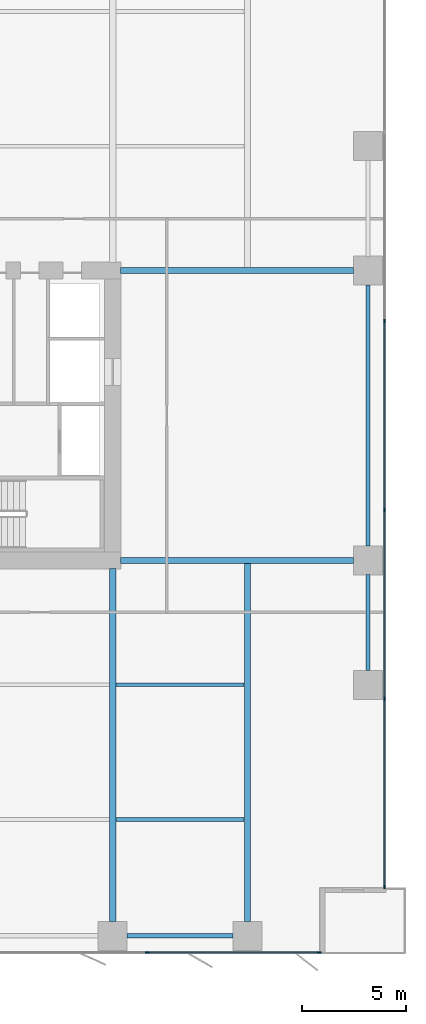
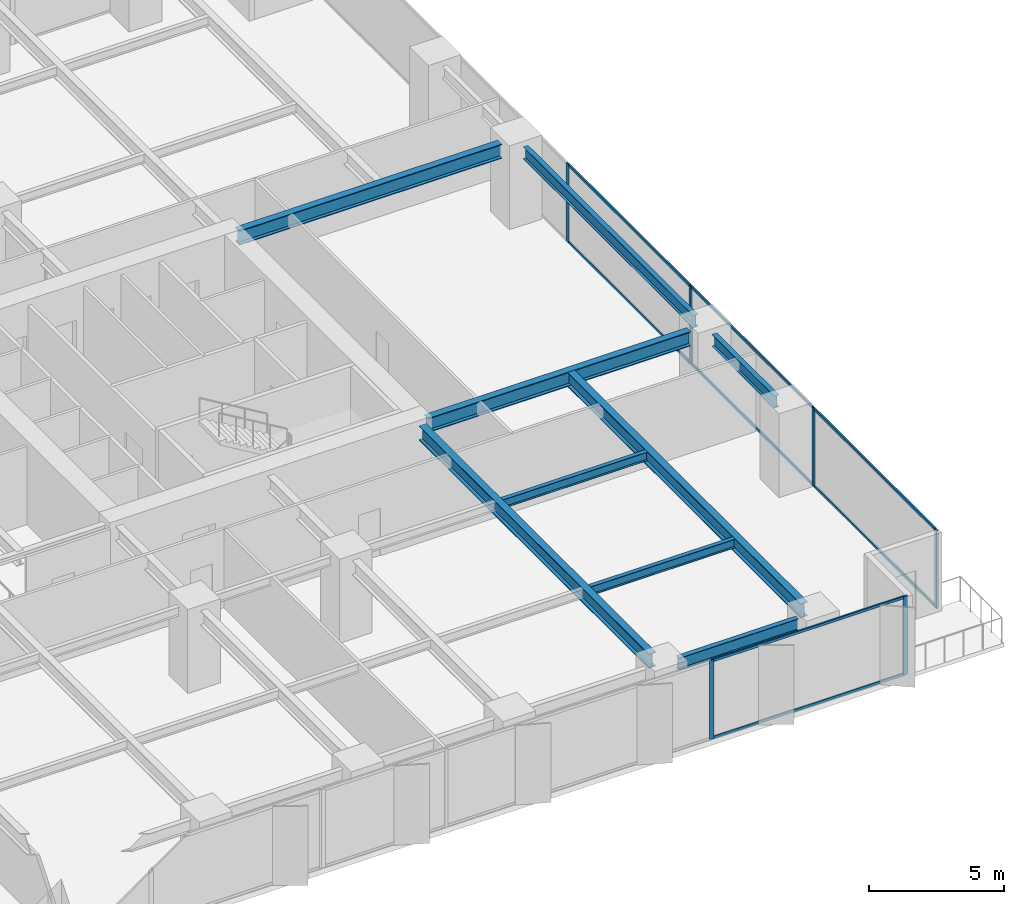
# One storey, part 10 of 20: 14 members, 9 beams, 2 elements without a shape of their own.
"""IFC4 building model written with IfcOpenShell, lengths in metres."""

from ifc_helpers import new_model, si_unit, direction, frame, origin, origin_2d, place, context, subcontext, project, spatial, rectangle, i_section, extrude, material, layer, layer_set, material_profile, profile_set, type_object, element, aggregate, save


model = new_model("IFC4")

# Units and contexts
model_context = context("Model", 3, precision=1e-05, world=origin(), true_north=direction((0.0, 1.0)))
body_context = subcontext(model_context, "Body", "Model", "MODEL_VIEW")
ifc_project = project(units=[si_unit("LENGTHUNIT", "METRE"), si_unit("AREAUNIT", "SQUARE_METRE"), si_unit("VOLUMEUNIT", "CUBIC_METRE"), si_unit("PLANEANGLEUNIT", "RADIAN"), si_unit("MASSUNIT", "GRAM", prefix="KILO")], contexts=[model_context])

# Site, building, storey
site_placement = place(None, origin())
site = spatial("IfcSite", under=ifc_project, at=site_placement, CompositionType="ELEMENT")
building_placement = place(site_placement, origin())
building = spatial("IfcBuilding", under=site, at=building_placement, Name="Putna Gate Headquarters", CompositionType="ELEMENT")
storey_placement = place(building_placement, frame((0.0, 0.0, 43.0)))
storey = spatial("IfcBuildingStorey", under=building, at=storey_placement, Name="L09", CompositionType="ELEMENT", Elevation=43.0)

# Beams
ifc_material_1 = material(Name="Steel S355J2", Category="steel")
ifc_material_profile_1 = material_profile(ifc_material_1, i_section(OverallWidth=0.300048828125, OverallDepth=0.64990234375, WebThickness=0.01611328125, FlangeThickness=0.031005859375, at=origin_2d()), Name="Steel S355J2")
ifc_profile_set_1 = profile_set([ifc_material_profile_1], Name="Steel S355J2")
beam_type_1 = type_object("IfcBeamType", Name="BM-GIRD-Z1-HEB650", PredefinedType="USERDEFINED", material=ifc_profile_set_1)
for number, where, z_axis, x_axis, name in (
    (1, (65.385009765625, 19.0, 3.22509765625), (1.0, 0.0, 0.0), (0.0, 1.0, 0.0), "L09 East Wing Girder Y19"),
    (2, (65.385009765625, 33.0, 3.22509765625), (1.0, 0.0, 0.0), (0.0, 1.0, 0.0), "L09 East Wing Girder Y33"),
):
    element("IfcBeam", number, at=place(storey_placement, frame(where, z_axis=z_axis, x_axis=x_axis)), inside=storey, type_object=beam_type_1, Name=name, ObjectType="GIRDER", PredefinedType="USERDEFINED", context=body_context, shape_type="SweptSolid", body=[
        extrude(i_section(OverallWidth=0.300048828125, OverallDepth=0.64990234375, WebThickness=0.01611328125, FlangeThickness=0.031005859375, at=origin_2d()), origin(), (0.0, 0.0, 1.0), 11.2470703125),
    ])
beam_1_placement = place(storey_placement, frame((65.0, 1.568115234375, 3.22509765625), z_axis=(0.0, 1.0, 0.0), x_axis=(-1.0, 0.0, 0.0)))
element("IfcBeam", 3, at=beam_1_placement, inside=storey, type_object=beam_type_1, Name="L09 South Primary Girder X65", ObjectType="GIRDER", PredefinedType="USERDEFINED", context=body_context, shape_type="SweptSolid", body=[
    extrude(i_section(OverallWidth=0.300048828125, OverallDepth=0.64990234375, WebThickness=0.01611328125, FlangeThickness=0.031005859375, at=origin_2d()), origin(), (0.0, 0.0, 1.0), 17.046875),
])
beam_2_placement = place(storey_placement, frame((71.5, 1.568115234375, 3.22509765625), z_axis=(0.0, 1.0, 0.0), x_axis=(-1.0, 0.0, 0.0)))
element("IfcBeam", 4, at=beam_2_placement, inside=storey, type_object=beam_type_1, Name="L09 South Primary Girder X71", ObjectType="GIRDER", PredefinedType="USERDEFINED", context=body_context, shape_type="SweptSolid", body=[
    extrude(i_section(OverallWidth=0.300048828125, OverallDepth=0.64990234375, WebThickness=0.01611328125, FlangeThickness=0.031005859375, at=origin_2d()), origin(), (0.0, 0.0, 1.0), 17.419921875),
])
ifc_material_profile_2 = material_profile(ifc_material_1, i_section(OverallWidth=0.179931640625, OverallDepth=0.39990234375, WebThickness=0.008544921875, FlangeThickness=0.013427734375, at=origin_2d()), Name="Steel S355J2")
ifc_profile_set_2 = profile_set([ifc_material_profile_2], Name="Steel S355J2")
beam_type_2 = type_object("IfcBeamType", Name="BM-SEC-Z1-IPE400", PredefinedType="BEAM", material=ifc_profile_set_2)
for number, where, z_axis, x_axis, name in (
    (5, (65.154052734375, 6.5, 3.35009765625), (1.0, 0.0, 0.0), (0.0, 1.0, 0.0), "L09 South Secondary Beam 10"),
    (6, (65.154052734375, 13.0, 3.35009765625), (1.0, 0.0, 0.0), (0.0, 1.0, 0.0), "L09 South Secondary Beam 10"),
):
    element("IfcBeam", number, at=place(storey_placement, frame(where, z_axis=z_axis, x_axis=x_axis)), inside=storey, type_object=beam_type_2, Name=name, PredefinedType="BEAM", context=body_context, shape_type="SweptSolid", body=[
        extrude(i_section(OverallWidth=0.179931640625, OverallDepth=0.39990234375, WebThickness=0.008544921875, FlangeThickness=0.013427734375, at=origin_2d()), origin(), (0.0, 0.0, 1.0), 6.19189453125),
    ])
ifc_material_profile_3 = material_profile(ifc_material_1, i_section(OverallWidth=0.2099609375, OverallDepth=0.550048828125, WebThickness=0.010986328125, FlangeThickness=0.01708984375, at=origin_2d()), Name="Steel S355J2")
ifc_profile_set_3 = profile_set([ifc_material_profile_3], Name="Steel S355J2")
beam_type_3 = type_object("IfcBeamType", Name="BM-SPAN-Z1-IPE550", PredefinedType="SPANDREL", material=ifc_profile_set_3)
beam_3_placement = place(storey_placement, frame((65.68798828125, 0.8798828125, 3.27490234375), z_axis=(1.0, 0.0, 0.0), x_axis=(0.0, 1.0, 0.0)))
element("IfcBeam", 7, at=beam_3_placement, inside=storey, type_object=beam_type_3, Name="L09 S Perimeter Spandrel 10", PredefinedType="SPANDREL", context=body_context, shape_type="SweptSolid", body=[
    extrude(i_section(OverallWidth=0.2099609375, OverallDepth=0.550048828125, WebThickness=0.010986328125, FlangeThickness=0.01708984375, at=origin_2d()), origin(), (0.0, 0.0, 1.0), 5.1240234375),
])
beam_4_placement = place(storey_placement, frame((77.320068359375, 13.68798828125, 3.27490234375), z_axis=(0.0, 1.0, 0.0), x_axis=(-1.0, 0.0, 0.0)))
element("IfcBeam", 8, at=beam_4_placement, inside=storey, type_object=beam_type_3, Name="L09 E End Spandrel 1", PredefinedType="SPANDREL", context=body_context, shape_type="SweptSolid", body=[
    extrude(i_section(OverallWidth=0.2099609375, OverallDepth=0.550048828125, WebThickness=0.010986328125, FlangeThickness=0.01708984375, at=origin_2d()), origin(), (0.0, 0.0, 1.0), 4.6240234375),
])
beam_5_placement = place(storey_placement, frame((77.320068359375, 19.68798828125, 3.27490234375), z_axis=(0.0, 1.0, 0.0), x_axis=(-1.0, 0.0, 0.0)))
element("IfcBeam", 9, at=beam_5_placement, inside=storey, type_object=beam_type_3, Name="L09 E End Spandrel 2", PredefinedType="SPANDREL", context=body_context, shape_type="SweptSolid", body=[
    extrude(i_section(OverallWidth=0.2099609375, OverallDepth=0.550048828125, WebThickness=0.010986328125, FlangeThickness=0.01708984375, at=origin_2d()), origin(), (0.0, 0.0, 1.0), 12.6240234375),
])

# Curtain wall, members
ifc_material_2 = material(Name="Anodised bronze aluminium curtain wall", Category="aluminium")
ifc_layer = layer(ifc_material_2, 0.179931640625)
ifc_layer_set = layer_set([ifc_layer], Name="Anodised bronze aluminium curtain wall")
curtain_wall_type = type_object("IfcCurtainWallType", Name="CW-SYS-Z1", PredefinedType="USERDEFINED", material=ifc_layer_set)
curtain_wall_1_placement = place(storey_placement, origin())
curtain_wall_1 = element("IfcCurtainWall", 10, at=curtain_wall_1_placement, inside=storey, type_object=curtain_wall_type, Name="L09 South East Curtain Wall", ObjectType="STICK CURTAIN WALL", PredefinedType="USERDEFINED")
ifc_material_3 = material(Name="Anodised bronze aluminium EN AW-6060", Category="aluminium")
ifc_material_profile_4 = material_profile(ifc_material_3, rectangle(XDim=0.070068359375, YDim=0.179931640625, at=origin_2d()), Name="Anodised bronze aluminium EN AW-6060")
ifc_profile_set_4 = profile_set([ifc_material_profile_4], Name="Anodised bronze aluminium EN AW-6060")
member_type_1 = type_object("IfcMemberType", Name="MULL-CWM-1", PredefinedType="MULLION", material=ifc_profile_set_4)
member_1_placement = place(storey_placement, frame((66.666748046875, 0.080078125, 0.0), z_axis=(0.0, 0.0, 1.0), x_axis=(0.0, 1.0, 0.0)))
member_1 = element("IfcMember", 11, at=member_1_placement, type_object=member_type_1, Name="CWS-1 mullion 3", PredefinedType="MULLION", context=body_context, shape_type="SweptSolid", body=[
    extrude(rectangle(XDim=0.070068359375, YDim=0.179931640625, at=origin_2d()), origin(), (0.0, 0.0, 1.0), 3.550048828125),
])
member_2_placement = place(storey_placement, frame((74.965087890625, 0.080078125, 0.0), z_axis=(0.0, 0.0, 1.0), x_axis=(0.0, 1.0, 0.0)))
member_2 = element("IfcMember", 12, at=member_2_placement, type_object=member_type_1, Name="CWS-1 mullion 4", PredefinedType="MULLION", context=body_context, shape_type="SweptSolid", body=[
    extrude(rectangle(XDim=0.070068359375, YDim=0.179931640625, at=origin_2d()), origin(), (0.0, 0.0, 1.0), 3.550048828125),
])

curtain_wall_2_placement = place(storey_placement, origin())
curtain_wall_2 = element("IfcCurtainWall", 13, at=curtain_wall_2_placement, inside=storey, type_object=curtain_wall_type, Name="L09 East Curtain Wall", ObjectType="STICK CURTAIN WALL", PredefinedType="USERDEFINED")
member_3_placement = place(storey_placement, frame((78.1201171875, 3.235107421875, 0.0), z_axis=(0.0, 0.0, 1.0), x_axis=(-1.0, 0.0, 0.0)))
member_3 = element("IfcMember", 14, at=member_3_placement, type_object=member_type_1, Name="CWS-1 mullion 1", PredefinedType="MULLION", context=body_context, shape_type="SweptSolid", body=[
    extrude(rectangle(XDim=0.070068359375, YDim=0.179931640625, at=origin_2d()), origin(), (0.0, 0.0, 1.0), 3.550048828125),
])
member_4_placement = place(storey_placement, frame((78.1201171875, 12.320068359375, 0.0), z_axis=(0.0, 0.0, 1.0), x_axis=(-1.0, 0.0, 0.0)))
member_4 = element("IfcMember", 15, at=member_4_placement, type_object=member_type_1, Name="CWS-1 mullion 2", PredefinedType="MULLION", context=body_context, shape_type="SweptSolid", body=[
    extrude(rectangle(XDim=0.070068359375, YDim=0.179931640625, at=origin_2d()), origin(), (0.0, 0.0, 1.0), 3.550048828125),
])
member_5_placement = place(storey_placement, frame((78.1201171875, 21.43994140625, 0.0), z_axis=(0.0, 0.0, 1.0), x_axis=(-1.0, 0.0, 0.0)))
member_5 = element("IfcMember", 16, at=member_5_placement, type_object=member_type_1, Name="CWS-1 mullion 3", PredefinedType="MULLION", context=body_context, shape_type="SweptSolid", body=[
    extrude(rectangle(XDim=0.070068359375, YDim=0.179931640625, at=origin_2d()), origin(), (0.0, 0.0, 1.0), 3.550048828125),
])
member_6_placement = place(storey_placement, frame((78.1201171875, 30.56005859375, 0.0), z_axis=(0.0, 0.0, 1.0), x_axis=(-1.0, 0.0, 0.0)))
member_6 = element("IfcMember", 17, at=member_6_placement, type_object=member_type_1, Name="CWS-1 mullion 4", PredefinedType="MULLION", context=body_context, shape_type="SweptSolid", body=[
    extrude(rectangle(XDim=0.070068359375, YDim=0.179931640625, at=origin_2d()), origin(), (0.0, 0.0, 1.0), 3.550048828125),
])

# Member
ifc_material_profile_5 = material_profile(ifc_material_3, rectangle(XDim=0.06494140625, YDim=0.1201171875, at=origin_2d()), Name="Anodised bronze aluminium EN AW-6060")
ifc_profile_set_5 = profile_set([ifc_material_profile_5], Name="Anodised bronze aluminium EN AW-6060")
member_type_2 = type_object("IfcMemberType", Name="TRAN-CWT-1", PredefinedType="USERDEFINED", material=ifc_profile_set_5)
member_7_placement = place(storey_placement, frame((66.70166015625, 0.080078125, 0.032470703125), z_axis=(1.0, 0.0, 0.0), x_axis=(0.0, 1.0, 0.0)))
member_7 = element("IfcMember", 18, at=member_7_placement, type_object=member_type_2, Name="CWS-1 transom 3.1", ObjectType="TRANSOM", PredefinedType="USERDEFINED", context=body_context, shape_type="SweptSolid", body=[
    extrude(rectangle(XDim=0.06494140625, YDim=0.1201171875, at=origin_2d()), origin(), (0.0, 0.0, 1.0), 8.228271484375),
])

member_8_placement = place(storey_placement, frame((66.70166015625, 0.080078125, 3.517578125), z_axis=(1.0, 0.0, 0.0), x_axis=(0.0, 1.0, 0.0)))
member_8 = element("IfcMember", 19, at=member_8_placement, type_object=member_type_2, Name="CWS-1 transom 3.2", ObjectType="TRANSOM", PredefinedType="USERDEFINED", context=body_context, shape_type="SweptSolid", body=[
    extrude(rectangle(XDim=0.06494140625, YDim=0.1201171875, at=origin_2d()), origin(), (0.0, 0.0, 1.0), 8.228271484375),
])

aggregate(curtain_wall_1, [member_1, member_2, member_7, member_8])

member_9_placement = place(storey_placement, frame((78.1201171875, 3.27001953125, 0.032470703125), z_axis=(0.0, 1.0, 0.0), x_axis=(-1.0, 0.0, 0.0)))
member_9 = element("IfcMember", 20, at=member_9_placement, type_object=member_type_2, Name="CWS-1 transom 1.1", ObjectType="TRANSOM", PredefinedType="USERDEFINED", context=body_context, shape_type="SweptSolid", body=[
    extrude(rectangle(XDim=0.06494140625, YDim=0.1201171875, at=origin_2d()), origin(), (0.0, 0.0, 1.0), 9.014892578125),
])

member_10_placement = place(storey_placement, frame((78.1201171875, 3.27001953125, 3.517578125), z_axis=(0.0, 1.0, 0.0), x_axis=(-1.0, 0.0, 0.0)))
member_10 = element("IfcMember", 21, at=member_10_placement, type_object=member_type_2, Name="CWS-1 transom 1.2", ObjectType="TRANSOM", PredefinedType="USERDEFINED", context=body_context, shape_type="SweptSolid", body=[
    extrude(rectangle(XDim=0.06494140625, YDim=0.1201171875, at=origin_2d()), origin(), (0.0, 0.0, 1.0), 9.014892578125),
])

member_11_placement = place(storey_placement, frame((78.1201171875, 12.35498046875, 0.032470703125), z_axis=(0.0, 1.0, 0.0), x_axis=(-1.0, 0.0, 0.0)))
member_11 = element("IfcMember", 22, at=member_11_placement, type_object=member_type_2, Name="CWS-1 transom 2.1", ObjectType="TRANSOM", PredefinedType="USERDEFINED", context=body_context, shape_type="SweptSolid", body=[
    extrude(rectangle(XDim=0.06494140625, YDim=0.1201171875, at=origin_2d()), origin(), (0.0, 0.0, 1.0), 9.050048828125),
])

member_12_placement = place(storey_placement, frame((78.1201171875, 12.35498046875, 3.517578125), z_axis=(0.0, 1.0, 0.0), x_axis=(-1.0, 0.0, 0.0)))
member_12 = element("IfcMember", 23, at=member_12_placement, type_object=member_type_2, Name="CWS-1 transom 2.2", ObjectType="TRANSOM", PredefinedType="USERDEFINED", context=body_context, shape_type="SweptSolid", body=[
    extrude(rectangle(XDim=0.06494140625, YDim=0.1201171875, at=origin_2d()), origin(), (0.0, 0.0, 1.0), 9.050048828125),
])

member_13_placement = place(storey_placement, frame((78.1201171875, 21.47509765625, 0.032470703125), z_axis=(0.0, 1.0, 0.0), x_axis=(-1.0, 0.0, 0.0)))
member_13 = element("IfcMember", 24, at=member_13_placement, type_object=member_type_2, Name="CWS-1 transom 3.1", ObjectType="TRANSOM", PredefinedType="USERDEFINED", context=body_context, shape_type="SweptSolid", body=[
    extrude(rectangle(XDim=0.06494140625, YDim=0.1201171875, at=origin_2d()), origin(), (0.0, 0.0, 1.0), 9.0498046875),
])

member_14_placement = place(storey_placement, frame((78.1201171875, 21.47509765625, 3.517578125), z_axis=(0.0, 1.0, 0.0), x_axis=(-1.0, 0.0, 0.0)))
member_14 = element("IfcMember", 25, at=member_14_placement, type_object=member_type_2, Name="CWS-1 transom 3.2", ObjectType="TRANSOM", PredefinedType="USERDEFINED", context=body_context, shape_type="SweptSolid", body=[
    extrude(rectangle(XDim=0.06494140625, YDim=0.1201171875, at=origin_2d()), origin(), (0.0, 0.0, 1.0), 9.0498046875),
])

aggregate(curtain_wall_2, [member_3, member_4, member_5, member_6, member_9, member_10, member_11, member_12, member_13, member_14])

save(model, "model.ifc")
